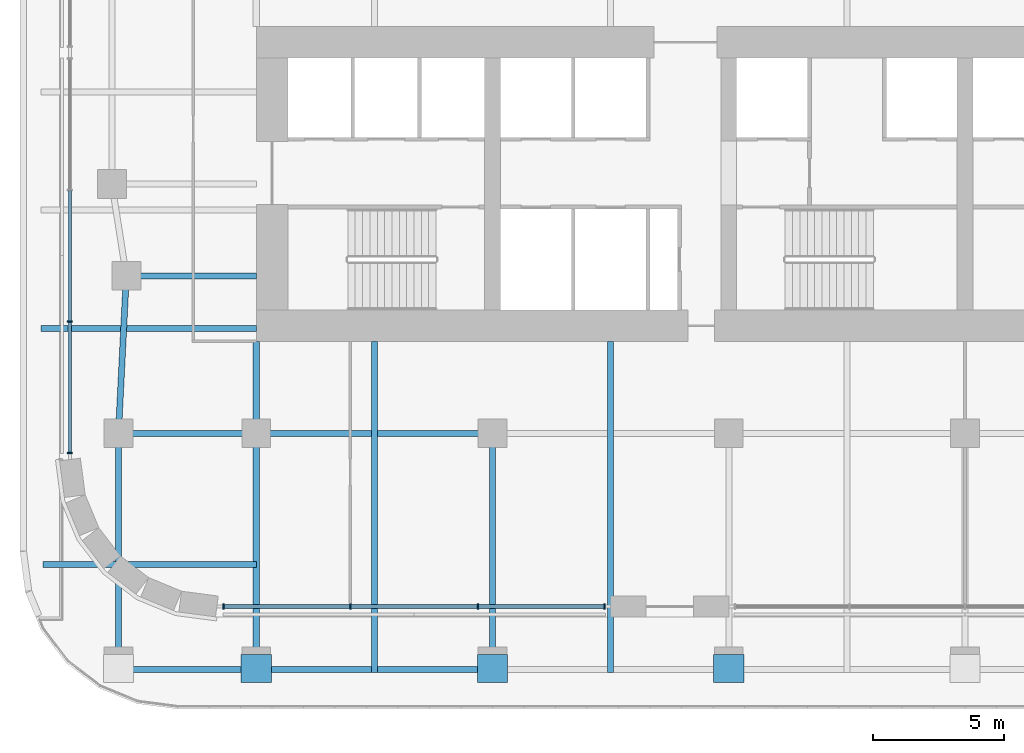
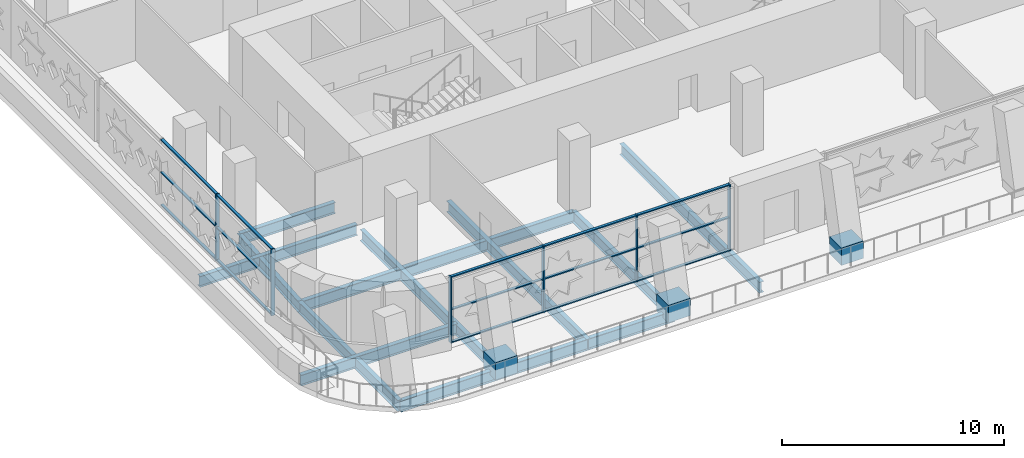
# One storey, part 2 of 26: 21 members, 14 beams, 2 elements without a shape of their own.
"""IFC4 building model written with IfcOpenShell, lengths in metres."""

from ifc_helpers import new_model, si_unit, direction, frame, origin, origin_2d, place, context, subcontext, project, spatial, rectangle, i_section, extrude, material, material_profile, profile_set, type_object, element, aggregate, save


model = new_model("IFC4")

# Units and contexts
model_context = context("Model", 3, precision=1e-05, world=origin(), true_north=direction((0.0, 1.0)))
body_context = subcontext(model_context, "Body", "Model", "MODEL_VIEW")
ifc_project = project(units=[si_unit("LENGTHUNIT", "METRE"), si_unit("AREAUNIT", "SQUARE_METRE"), si_unit("VOLUMEUNIT", "CUBIC_METRE"), si_unit("PLANEANGLEUNIT", "RADIAN"), si_unit("MASSUNIT", "GRAM", prefix="KILO")], contexts=[model_context])

# Site, building, storey
site_placement = place(None, origin())
site = spatial("IfcSite", under=ifc_project, at=site_placement, CompositionType="ELEMENT")
building_placement = place(site_placement, origin())
building = spatial("IfcBuilding", under=site, at=building_placement, Name="Zellij Exchange Tower", CompositionType="ELEMENT")
storey_placement = place(building_placement, frame((0.0, 0.0, 100.5)))
storey = spatial("IfcBuildingStorey", under=building, at=storey_placement, Name="L21", CompositionType="ELEMENT", Elevation=100.5)

# Curtain wall, members
ifc_material_1 = material(Name="Aluminium frame, clear insulating glass", Category="aluminium")
curtain_wall_type = type_object("IfcCurtainWallType", Name="ENV-CW6 Sky-lobby glazing", PredefinedType="NOTDEFINED", material=ifc_material_1)
curtain_wall_1_placement = place(storey_placement, origin())
curtain_wall_1 = element("IfcCurtainWall", 1, at=curtain_wall_1_placement, inside=storey, type_object=curtain_wall_type, Name="cw.L21.00a", PredefinedType="NOTDEFINED")
ifc_material_2 = material(Name="Aluminium", Category="aluminium")
ifc_material_profile_1 = material_profile(ifc_material_2, rectangle(XDim=0.06005859375, YDim=0.199951171875, at=origin_2d()), Name="AL 60x200")
ifc_profile_set_1 = profile_set([ifc_material_profile_1], Name="Aluminium")
member_type_1 = type_object("IfcMemberType", Name="ENV-CW6M Mullion 60x200", PredefinedType="MULLION", material=ifc_profile_set_1)
member_1_placement = place(storey_placement, frame((-28.243896484375, -24.10009765625, 0.0), z_axis=(0.0, 0.0, 1.0), x_axis=(1.0, 0.0, 0.0)))
member_1 = element("IfcMember", 2, at=member_1_placement, type_object=member_type_1, Name="CW6 mullion 1", PredefinedType="MULLION", context=body_context, shape_type="SweptSolid", body=[
    extrude(rectangle(XDim=0.06005859375, YDim=0.199951171875, at=origin_2d()), origin(), (0.0, 0.0, 1.0), 3.64990234375),
])
member_2_placement = place(storey_placement, frame((-23.415771484375, -24.10009765625, 0.0), z_axis=(0.0, 0.0, 1.0), x_axis=(1.0, 0.0, 0.0)))
member_2 = element("IfcMember", 3, at=member_2_placement, type_object=member_type_1, Name="CW6 mullion 2", PredefinedType="MULLION", context=body_context, shape_type="SweptSolid", body=[
    extrude(rectangle(XDim=0.06005859375, YDim=0.199951171875, at=origin_2d()), origin(), (0.0, 0.0, 1.0), 3.64990234375),
])
member_3_placement = place(storey_placement, frame((-18.557861328125, -24.10009765625, 0.0), z_axis=(0.0, 0.0, 1.0), x_axis=(1.0, 0.0, 0.0)))
member_3 = element("IfcMember", 4, at=member_3_placement, type_object=member_type_1, Name="CW6 mullion 3", PredefinedType="MULLION", context=body_context, shape_type="SweptSolid", body=[
    extrude(rectangle(XDim=0.06005859375, YDim=0.199951171875, at=origin_2d()), origin(), (0.0, 0.0, 1.0), 3.64990234375),
])
member_4_placement = place(storey_placement, frame((-13.72998046875, -24.10009765625, 0.0), z_axis=(0.0, 0.0, 1.0), x_axis=(1.0, 0.0, 0.0)))
member_4 = element("IfcMember", 5, at=member_4_placement, type_object=member_type_1, Name="CW6 mullion 4", PredefinedType="MULLION", context=body_context, shape_type="SweptSolid", body=[
    extrude(rectangle(XDim=0.06005859375, YDim=0.199951171875, at=origin_2d()), origin(), (0.0, 0.0, 1.0), 3.64990234375),
])

curtain_wall_2_placement = place(storey_placement, origin())
curtain_wall_2 = element("IfcCurtainWall", 6, at=curtain_wall_2_placement, inside=storey, type_object=curtain_wall_type, Name="cw.L21.21b", PredefinedType="NOTDEFINED")
member_5_placement = place(storey_placement, frame((-34.10009765625, -13.249267578125, 0.0), z_axis=(0.0, 0.0, 1.0), x_axis=(0.0, -1.0, 0.0)))
member_5 = element("IfcMember", 7, at=member_5_placement, type_object=member_type_1, Name="CW6 mullion 3", PredefinedType="MULLION", context=body_context, shape_type="SweptSolid", body=[
    extrude(rectangle(XDim=0.06005859375, YDim=0.199951171875, at=origin_2d()), origin(), (0.0, 0.0, 1.0), 3.64990234375),
])
member_6_placement = place(storey_placement, frame((-34.10009765625, -18.243896484375, 0.0), z_axis=(0.0, 0.0, 1.0), x_axis=(0.0, -1.0, 0.0)))
member_6 = element("IfcMember", 8, at=member_6_placement, type_object=member_type_1, Name="CW6 mullion 4", PredefinedType="MULLION", context=body_context, shape_type="SweptSolid", body=[
    extrude(rectangle(XDim=0.06005859375, YDim=0.199951171875, at=origin_2d()), origin(), (0.0, 0.0, 1.0), 3.64990234375),
])

# Member
ifc_material_profile_2 = material_profile(ifc_material_2, rectangle(XDim=0.139892578125, YDim=0.06005859375, at=origin_2d()), Name="AL 140x60")
ifc_profile_set_2 = profile_set([ifc_material_profile_2], Name="Aluminium")
member_type_2 = type_object("IfcMemberType", Name="ENV-CW6T Transom 140x60", PredefinedType="USERDEFINED", material=ifc_profile_set_2)
member_7_placement = place(storey_placement, frame((-28.2138671875, -24.10009765625, 0.030029296875), z_axis=(1.0, 0.0, 0.0), x_axis=(0.0, 1.0, 0.0)))
member_7 = element("IfcMember", 9, at=member_7_placement, type_object=member_type_2, Name="CW6 transom 1.1", ObjectType="TRANSOM", PredefinedType="USERDEFINED", context=body_context, shape_type="SweptSolid", body=[
    extrude(rectangle(XDim=0.139892578125, YDim=0.06005859375, at=origin_2d()), origin(), (0.0, 0.0, 1.0), 4.76806640625),
])

member_8_placement = place(storey_placement, frame((-28.2138671875, -24.10009765625, 1.824951171875), z_axis=(1.0, 0.0, 0.0), x_axis=(0.0, 1.0, 0.0)))
member_8 = element("IfcMember", 10, at=member_8_placement, type_object=member_type_2, Name="CW6 transom 1.2", ObjectType="TRANSOM", PredefinedType="USERDEFINED", context=body_context, shape_type="SweptSolid", body=[
    extrude(rectangle(XDim=0.139892578125, YDim=0.06005859375, at=origin_2d()), origin(), (0.0, 0.0, 1.0), 4.76806640625),
])

member_9_placement = place(storey_placement, frame((-28.2138671875, -24.10009765625, 3.6201171875), z_axis=(1.0, 0.0, 0.0), x_axis=(0.0, 1.0, 0.0)))
member_9 = element("IfcMember", 11, at=member_9_placement, type_object=member_type_2, Name="CW6 transom 1.3", ObjectType="TRANSOM", PredefinedType="USERDEFINED", context=body_context, shape_type="SweptSolid", body=[
    extrude(rectangle(XDim=0.139892578125, YDim=0.06005859375, at=origin_2d()), origin(), (0.0, 0.0, 1.0), 4.76806640625),
])

member_10_placement = place(storey_placement, frame((-23.385986328125, -24.10009765625, 0.030029296875), z_axis=(1.0, 0.0, 0.0), x_axis=(0.0, 1.0, 0.0)))
member_10 = element("IfcMember", 12, at=member_10_placement, type_object=member_type_2, Name="CW6 transom 2.1", ObjectType="TRANSOM", PredefinedType="USERDEFINED", context=body_context, shape_type="SweptSolid", body=[
    extrude(rectangle(XDim=0.139892578125, YDim=0.06005859375, at=origin_2d()), origin(), (0.0, 0.0, 1.0), 4.798095703125),
])

member_11_placement = place(storey_placement, frame((-23.385986328125, -24.10009765625, 1.824951171875), z_axis=(1.0, 0.0, 0.0), x_axis=(0.0, 1.0, 0.0)))
member_11 = element("IfcMember", 13, at=member_11_placement, type_object=member_type_2, Name="CW6 transom 2.2", ObjectType="TRANSOM", PredefinedType="USERDEFINED", context=body_context, shape_type="SweptSolid", body=[
    extrude(rectangle(XDim=0.139892578125, YDim=0.06005859375, at=origin_2d()), origin(), (0.0, 0.0, 1.0), 4.798095703125),
])

member_12_placement = place(storey_placement, frame((-23.385986328125, -24.10009765625, 3.6201171875), z_axis=(1.0, 0.0, 0.0), x_axis=(0.0, 1.0, 0.0)))
member_12 = element("IfcMember", 14, at=member_12_placement, type_object=member_type_2, Name="CW6 transom 2.3", ObjectType="TRANSOM", PredefinedType="USERDEFINED", context=body_context, shape_type="SweptSolid", body=[
    extrude(rectangle(XDim=0.139892578125, YDim=0.06005859375, at=origin_2d()), origin(), (0.0, 0.0, 1.0), 4.798095703125),
])

member_13_placement = place(storey_placement, frame((-18.52783203125, -24.10009765625, 0.030029296875), z_axis=(1.0, 0.0, 0.0), x_axis=(0.0, 1.0, 0.0)))
member_13 = element("IfcMember", 15, at=member_13_placement, type_object=member_type_2, Name="CW6 transom 3.1", ObjectType="TRANSOM", PredefinedType="USERDEFINED", context=body_context, shape_type="SweptSolid", body=[
    extrude(rectangle(XDim=0.139892578125, YDim=0.06005859375, at=origin_2d()), origin(), (0.0, 0.0, 1.0), 4.767822265625),
])

member_14_placement = place(storey_placement, frame((-18.52783203125, -24.10009765625, 1.824951171875), z_axis=(1.0, 0.0, 0.0), x_axis=(0.0, 1.0, 0.0)))
member_14 = element("IfcMember", 16, at=member_14_placement, type_object=member_type_2, Name="CW6 transom 3.2", ObjectType="TRANSOM", PredefinedType="USERDEFINED", context=body_context, shape_type="SweptSolid", body=[
    extrude(rectangle(XDim=0.139892578125, YDim=0.06005859375, at=origin_2d()), origin(), (0.0, 0.0, 1.0), 4.767822265625),
])

member_15_placement = place(storey_placement, frame((-18.52783203125, -24.10009765625, 3.6201171875), z_axis=(1.0, 0.0, 0.0), x_axis=(0.0, 1.0, 0.0)))
member_15 = element("IfcMember", 17, at=member_15_placement, type_object=member_type_2, Name="CW6 transom 3.3", ObjectType="TRANSOM", PredefinedType="USERDEFINED", context=body_context, shape_type="SweptSolid", body=[
    extrude(rectangle(XDim=0.139892578125, YDim=0.06005859375, at=origin_2d()), origin(), (0.0, 0.0, 1.0), 4.767822265625),
])

aggregate(curtain_wall_1, [member_1, member_2, member_3, member_4, member_7, member_8, member_9, member_10, member_11, member_12, member_13, member_14, member_15])

member_16_placement = place(storey_placement, frame((-34.10009765625, -8.254638671875, 0.030029296875), z_axis=(0.0, -1.0, 0.0), x_axis=(1.0, 0.0, 0.0)))
member_16 = element("IfcMember", 18, at=member_16_placement, type_object=member_type_2, Name="CW6 transom 2.1", ObjectType="TRANSOM", PredefinedType="USERDEFINED", context=body_context, shape_type="SweptSolid", body=[
    extrude(rectangle(XDim=0.139892578125, YDim=0.06005859375, at=origin_2d()), origin(), (0.0, 0.0, 1.0), 4.964599609375),
])

member_17_placement = place(storey_placement, frame((-34.10009765625, -8.254638671875, 1.824951171875), z_axis=(0.0, -1.0, 0.0), x_axis=(1.0, 0.0, 0.0)))
member_17 = element("IfcMember", 19, at=member_17_placement, type_object=member_type_2, Name="CW6 transom 2.2", ObjectType="TRANSOM", PredefinedType="USERDEFINED", context=body_context, shape_type="SweptSolid", body=[
    extrude(rectangle(XDim=0.139892578125, YDim=0.06005859375, at=origin_2d()), origin(), (0.0, 0.0, 1.0), 4.964599609375),
])

member_18_placement = place(storey_placement, frame((-34.10009765625, -8.254638671875, 3.6201171875), z_axis=(0.0, -1.0, 0.0), x_axis=(1.0, 0.0, 0.0)))
member_18 = element("IfcMember", 20, at=member_18_placement, type_object=member_type_2, Name="CW6 transom 2.3", ObjectType="TRANSOM", PredefinedType="USERDEFINED", context=body_context, shape_type="SweptSolid", body=[
    extrude(rectangle(XDim=0.139892578125, YDim=0.06005859375, at=origin_2d()), origin(), (0.0, 0.0, 1.0), 4.964599609375),
])

member_19_placement = place(storey_placement, frame((-34.10009765625, -13.279296875, 0.030029296875), z_axis=(0.0, -1.0, 0.0), x_axis=(1.0, 0.0, 0.0)))
member_19 = element("IfcMember", 21, at=member_19_placement, type_object=member_type_2, Name="CW6 transom 3.1", ObjectType="TRANSOM", PredefinedType="USERDEFINED", context=body_context, shape_type="SweptSolid", body=[
    extrude(rectangle(XDim=0.139892578125, YDim=0.06005859375, at=origin_2d()), origin(), (0.0, 0.0, 1.0), 4.9345703125),
])

member_20_placement = place(storey_placement, frame((-34.10009765625, -13.279296875, 1.824951171875), z_axis=(0.0, -1.0, 0.0), x_axis=(1.0, 0.0, 0.0)))
member_20 = element("IfcMember", 22, at=member_20_placement, type_object=member_type_2, Name="CW6 transom 3.2", ObjectType="TRANSOM", PredefinedType="USERDEFINED", context=body_context, shape_type="SweptSolid", body=[
    extrude(rectangle(XDim=0.139892578125, YDim=0.06005859375, at=origin_2d()), origin(), (0.0, 0.0, 1.0), 4.9345703125),
])

member_21_placement = place(storey_placement, frame((-34.10009765625, -13.279296875, 3.6201171875), z_axis=(0.0, -1.0, 0.0), x_axis=(1.0, 0.0, 0.0)))
member_21 = element("IfcMember", 23, at=member_21_placement, type_object=member_type_2, Name="CW6 transom 3.3", ObjectType="TRANSOM", PredefinedType="USERDEFINED", context=body_context, shape_type="SweptSolid", body=[
    extrude(rectangle(XDim=0.139892578125, YDim=0.06005859375, at=origin_2d()), origin(), (0.0, 0.0, 1.0), 4.9345703125),
])

aggregate(curtain_wall_2, [member_5, member_6, member_16, member_17, member_18, member_19, member_20, member_21])

# Beams
ifc_material_3 = material(Name="Structural steel ASTM A992 Gr 50", Category="steel")
ifc_material_profile_3 = material_profile(ifc_material_3, i_section(OverallWidth=0.227783203125, OverallDepth=0.60205078125, WebThickness=0.010498046875, FlangeThickness=0.014892578125, at=origin_2d()), Name="W24x68")
ifc_profile_set_3 = profile_set([ifc_material_profile_3], Name="Structural steel ASTM A992 Gr 50")
beam_type_1 = type_object("IfcBeamType", Name="STR-BEAM W24x68", PredefinedType="BEAM", material=ifc_profile_set_3)
for number, where, z_axis, x_axis, name in (
    (24, (-22.5, -26.614501953125, -0.60107421875), (0.0, 1.0, 0.0), (-1.0, 0.0, 0.0), "B5"),
    (25, (-13.5, -26.614501953125, -0.60107421875), (0.0, 1.0, 0.0), (-1.0, 0.0, 0.0), "B5"),
):
    element("IfcBeam", number, at=place(storey_placement, frame(where, z_axis=z_axis, x_axis=x_axis)), inside=storey, type_object=beam_type_1, Name=name, PredefinedType="BEAM", context=body_context, shape_type="SweptSolid", body=[
        extrude(i_section(OverallWidth=0.227783203125, OverallDepth=0.60205078125, WebThickness=0.010498046875, FlangeThickness=0.014892578125, at=origin_2d()), origin(), (0.0, 0.0, 1.0), 12.614501953125),
    ])
beam_1_placement = place(storey_placement, frame((-35.126953125, -22.5, -0.60107421875), z_axis=(1.0, 0.0, 0.0), x_axis=(0.0, 1.0, 0.0)))
element("IfcBeam", 26, at=beam_1_placement, inside=storey, type_object=beam_type_1, Name="B5", PredefinedType="BEAM", context=body_context, shape_type="SweptSolid", body=[
    extrude(i_section(OverallWidth=0.227783203125, OverallDepth=0.60205078125, WebThickness=0.010498046875, FlangeThickness=0.014892578125, at=origin_2d()), origin(), (0.0, 0.0, 1.0), 8.126953125),
])
beam_2_placement = place(storey_placement, frame((-35.199951171875, -13.5, -0.60107421875), z_axis=(1.0, 0.0, 0.0), x_axis=(0.0, 1.0, 0.0)))
element("IfcBeam", 27, at=beam_2_placement, inside=storey, type_object=beam_type_1, Name="B5", PredefinedType="BEAM", context=body_context, shape_type="SweptSolid", body=[
    extrude(i_section(OverallWidth=0.227783203125, OverallDepth=0.60205078125, WebThickness=0.010498046875, FlangeThickness=0.014892578125, at=origin_2d()), origin(), (0.0, 0.0, 1.0), 8.199951171875),
])
ifc_material_profile_4 = material_profile(ifc_material_3, i_section(OverallWidth=0.22900390625, OverallDepth=0.612060546875, WebThickness=0.011962890625, FlangeThickness=0.01953125, at=origin_2d()), Name="W24x84")
ifc_profile_set_4 = profile_set([ifc_material_profile_4], Name="Structural steel ASTM A992 Gr 50")
beam_type_2 = type_object("IfcBeamType", Name="STR-EDGE GIRDER W24x84", PredefinedType="BEAM", material=ifc_profile_set_4)
beam_3_placement = place(storey_placement, frame((-32.25, -26.5, -0.606201171875), z_axis=(0.0, 1.0, 0.0), x_axis=(-1.0, 0.0, 0.0)))
element("IfcBeam", 28, at=beam_3_placement, inside=storey, type_object=beam_type_2, Name="EB6", PredefinedType="BEAM", context=body_context, shape_type="SweptSolid", body=[
    extrude(i_section(OverallWidth=0.22900390625, OverallDepth=0.612060546875, WebThickness=0.011962890625, FlangeThickness=0.01953125, at=origin_2d()), origin(), (0.0, 0.0, 1.0), 9.0),
])
beam_4_placement = place(storey_placement, frame((-32.25, -17.5, -0.606201171875), z_axis=(0.049945724537, 0.998751933465, 0.0), x_axis=(-0.998751933465, 0.049945724537, 0.0)))
element("IfcBeam", 29, at=beam_4_placement, inside=storey, type_object=beam_type_2, Name="EB6", PredefinedType="BEAM", context=body_context, shape_type="SweptSolid", body=[
    extrude(i_section(OverallWidth=0.22900390625, OverallDepth=0.612060546875, WebThickness=0.011962890625, FlangeThickness=0.01953125, at=origin_2d()), origin(), (0.0, 0.0, 1.0), 6.007568359375),
])
ifc_material_profile_5 = material_profile(ifc_material_3, i_section(OverallWidth=0.22900390625, OverallDepth=0.612060546875, WebThickness=0.011962890625, FlangeThickness=0.01953125, at=origin_2d()), Name="W24x84")
ifc_profile_set_5 = profile_set([ifc_material_profile_5], Name="Structural steel ASTM A992 Gr 50")
beam_type_3 = type_object("IfcBeamType", Name="STR-GIRDER W24x84", PredefinedType="BEAM", material=ifc_profile_set_5)
for number, where, z_axis, x_axis, name in (
    (30, (-32.25, -26.5, -0.606201171875), (1.0, 0.0, 0.0), (0.0, 1.0, 0.0), "G4"),
    (31, (-32.25, -17.5, -0.606201171875), (1.0, 0.0, 0.0), (0.0, 1.0, 0.0), "G4"),
):
    element("IfcBeam", number, at=place(storey_placement, frame(where, z_axis=z_axis, x_axis=x_axis)), inside=storey, type_object=beam_type_3, Name=name, PredefinedType="BEAM", context=body_context, shape_type="SweptSolid", body=[
        extrude(i_section(OverallWidth=0.22900390625, OverallDepth=0.612060546875, WebThickness=0.011962890625, FlangeThickness=0.01953125, at=origin_2d()), origin(), (0.0, 0.0, 1.0), 14.25),
    ])
beam_5_placement = place(storey_placement, frame((-31.949951171875, -11.5, -0.606201171875), z_axis=(1.0, 0.0, 0.0), x_axis=(0.0, 1.0, 0.0)))
element("IfcBeam", 32, at=beam_5_placement, inside=storey, type_object=beam_type_3, Name="G4", PredefinedType="BEAM", context=body_context, shape_type="SweptSolid", body=[
    extrude(i_section(OverallWidth=0.22900390625, OverallDepth=0.612060546875, WebThickness=0.011962890625, FlangeThickness=0.01953125, at=origin_2d()), origin(), (0.0, 0.0, 1.0), 4.949951171875),
])
beam_6_placement = place(storey_placement, frame((-27.0, -26.5, -0.606201171875), z_axis=(0.0, 1.0, 0.0), x_axis=(-1.0, 0.0, 0.0)))
element("IfcBeam", 33, at=beam_6_placement, inside=storey, type_object=beam_type_3, Name="G4", PredefinedType="BEAM", context=body_context, shape_type="SweptSolid", body=[
    extrude(i_section(OverallWidth=0.22900390625, OverallDepth=0.612060546875, WebThickness=0.011962890625, FlangeThickness=0.01953125, at=origin_2d()), origin(), (0.0, 0.0, 1.0), 12.5),
])
beam_7_placement = place(storey_placement, frame((-18.0, -26.5, -0.606201171875), z_axis=(0.0, 1.0, 0.0), x_axis=(-1.0, 0.0, 0.0)))
element("IfcBeam", 34, at=beam_7_placement, inside=storey, type_object=beam_type_3, Name="G4", PredefinedType="BEAM", context=body_context, shape_type="SweptSolid", body=[
    extrude(i_section(OverallWidth=0.22900390625, OverallDepth=0.612060546875, WebThickness=0.011962890625, FlangeThickness=0.01953125, at=origin_2d()), origin(), (0.0, 0.0, 1.0), 9.0),
])
ifc_material_4 = material(Name="Concrete C70/85", Category="concrete")
ifc_material_profile_6 = material_profile(ifc_material_4, rectangle(XDim=1.14990234375, YDim=0.949951171875, at=origin_2d()), Name="STR-KNUCKLE BLOCK RC1150x950 C70/85")
ifc_profile_set_6 = profile_set([ifc_material_profile_6], Name="Concrete C70/85")
beam_type_4 = type_object("IfcBeamType", Name="STR-KNUCKLE BLOCK RC1150x950 C70/85", PredefinedType="BEAM", material=ifc_profile_set_6)
for number, where, z_axis, x_axis, name in (
    (35, (-27.0, -27.000244140625, -0.074951171875), (0.0, 1.0, 0.0), (-1.0, 0.0, 0.0), "KB5"),
    (36, (-18.0, -27.000244140625, -0.074951171875), (0.0, 1.0, 0.0), (-1.0, 0.0, 0.0), "KB5"),
    (37, (-9.0, -27.000244140625, -0.074951171875), (0.0, 1.0, 0.0), (-1.0, 0.0, 0.0), "KB5"),
):
    element("IfcBeam", number, at=place(storey_placement, frame(where, z_axis=z_axis, x_axis=x_axis)), inside=storey, type_object=beam_type_4, Name=name, PredefinedType="BEAM", context=body_context, shape_type="SweptSolid", body=[
        extrude(rectangle(XDim=1.14990234375, YDim=0.949951171875, at=origin_2d()), origin(), (0.0, 0.0, 1.0), 1.067138671875),
    ])

save(model, "model.ifc")
